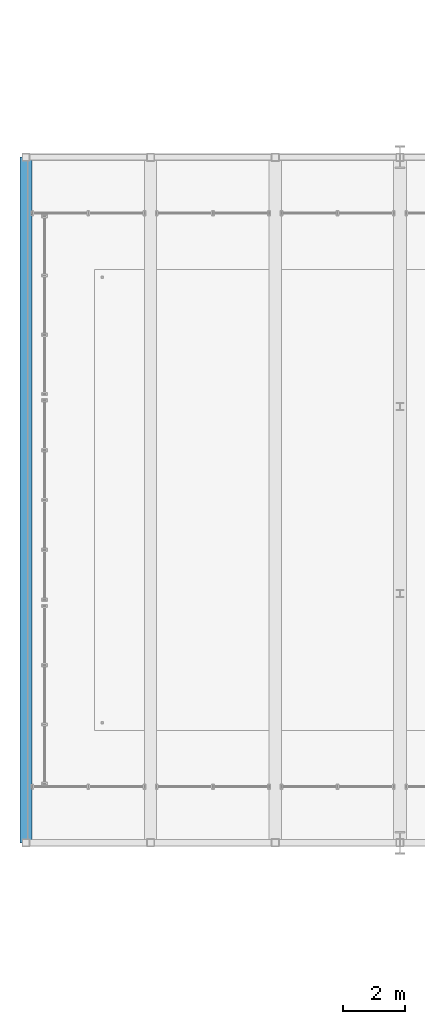
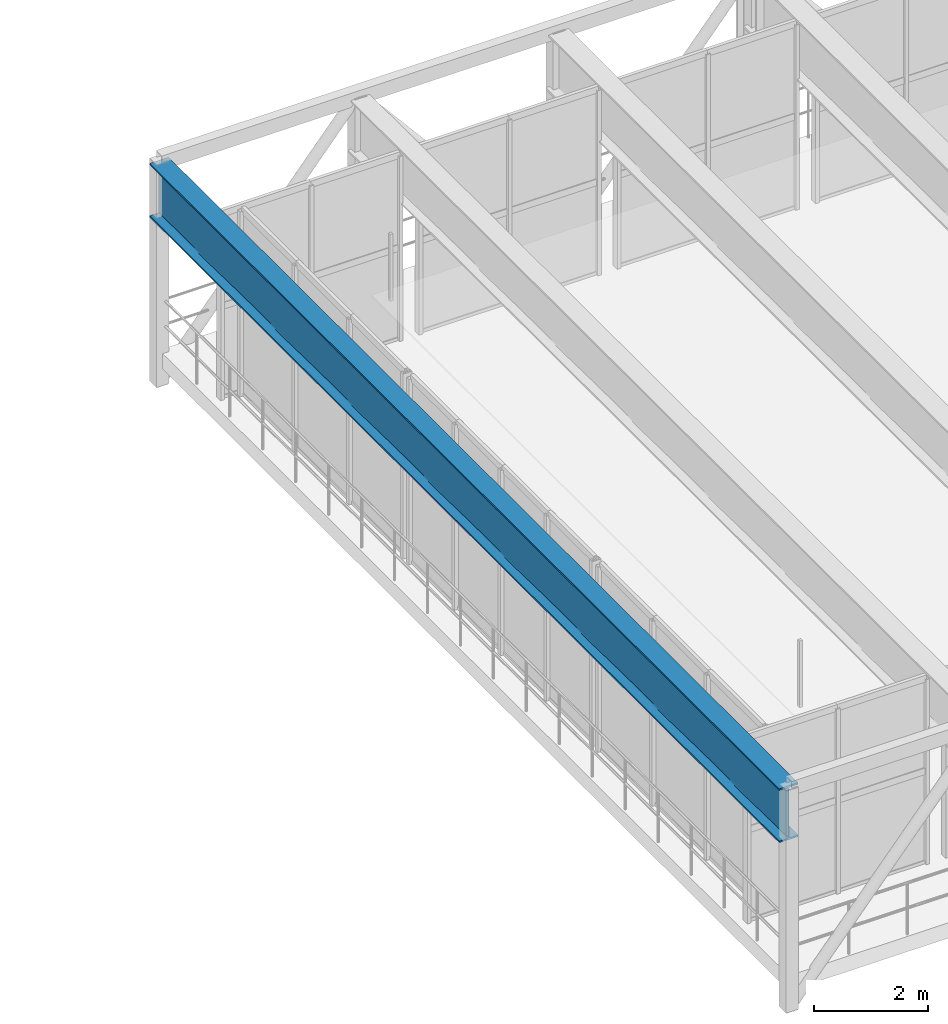
# One storey, part 23 of 124: 1 beam.
"""IFC4 building model written with IfcOpenShell, lengths in metres."""

from ifc_helpers import new_model, si_unit, direction, frame, origin, origin_2d, place, context, subcontext, project, spatial, i_section, extrude, material, material_profile, profile_set, type_object, element, save


model = new_model("IFC4")

# Units and contexts
model_context = context("Model", 3, precision=1e-05, world=origin(), true_north=direction((0.0, 1.0)))
body_context = subcontext(model_context, "Body", "Model", "MODEL_VIEW")
ifc_project = project(units=[si_unit("LENGTHUNIT", "METRE"), si_unit("AREAUNIT", "SQUARE_METRE"), si_unit("VOLUMEUNIT", "CUBIC_METRE"), si_unit("PLANEANGLEUNIT", "RADIAN"), si_unit("MASSUNIT", "GRAM", prefix="KILO")], contexts=[model_context])

# Site, building, storey
site_placement = place(None, origin())
site = spatial("IfcSite", under=ifc_project, at=site_placement, CompositionType="ELEMENT")
building_placement = place(site_placement, origin())
building = spatial("IfcBuilding", under=site, at=building_placement, Name="Sundkrona Museum", CompositionType="ELEMENT")
storey_placement = place(building_placement, frame((0.0, 0.0, 17.60009765625)))
storey = spatial("IfcBuildingStorey", under=building, at=storey_placement, Name="L03", CompositionType="ELEMENT", Elevation=17.60009765625)

# Beam
ifc_material = material(Name="Steel S460M", Category="steel")
ifc_material_profile = material_profile(ifc_material, i_section(OverallWidth=0.3798828125, OverallDepth=1.14990234375, WebThickness=0.01806640625, FlangeThickness=0.033935546875, FilletRadius=0.02392578125, at=origin_2d()), Name="PG 1150x380")
ifc_profile_set = profile_set([ifc_material_profile], Name="Steel S460M")
beam_type = type_object("IfcBeamType", Name="TG-HEB700", PredefinedType="USERDEFINED", material=ifc_profile_set)
beam_placement = place(storey_placement, frame((4.0, 32.0, 3.474853515625), z_axis=(0.0, 1.0, 0.0), x_axis=(-1.0, 0.0, 0.0)))
element("IfcBeam", 1, at=beam_placement, inside=storey, type_object=beam_type, Name="TG-2 L03 Cantilever Cross Transfer Girder X=4", ObjectType="TRANSFER GIRDER", PredefinedType="USERDEFINED", context=body_context, shape_type="SweptSolid", body=[
    extrude(i_section(OverallWidth=0.3798828125, OverallDepth=1.14990234375, WebThickness=0.01806640625, FlangeThickness=0.033935546875, FilletRadius=0.02392578125, at=origin_2d()), origin(), (0.0, 0.0, 1.0), 22.0),
])

save(model, "model.ifc")
